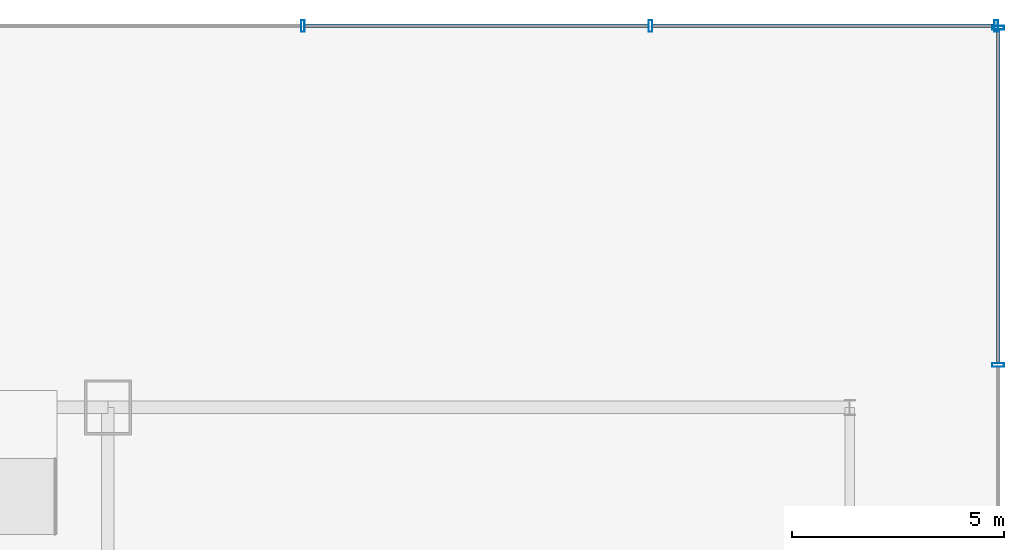
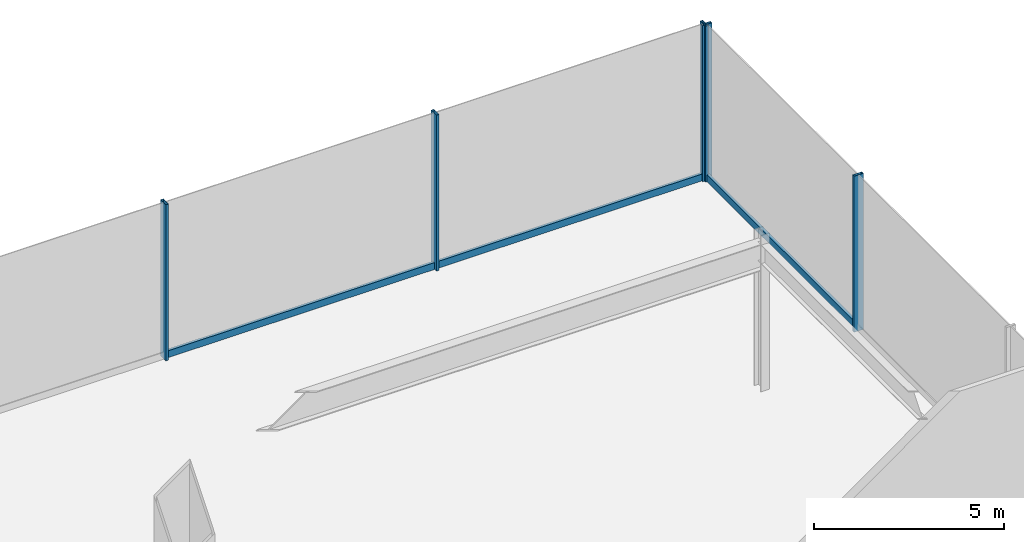
# One storey, part 26 of 39: 8 members, 2 elements without a shape of their own.
"""IFC4 building model written with IfcOpenShell, lengths in metres."""

from ifc_helpers import new_model, si_unit, derived_unit, direction, frame, origin, origin_2d, place, context, subcontext, project, spatial, hollow_rectangle, extrude, source, transform, mapped, material, material_profile, profile_set, type_object, element, aggregate, save


model = new_model("IFC4")

# Units and contexts
model_context = context("Model", 3, precision=1e-05, world=origin(), true_north=direction((0.0, 1.0)))
body_context = subcontext(model_context, "Body", "Model", "MODEL_VIEW")
ifc_project = project(units=[si_unit("LENGTHUNIT", "METRE"), si_unit("AREAUNIT", "SQUARE_METRE"), si_unit("VOLUMEUNIT", "CUBIC_METRE"), si_unit("PLANEANGLEUNIT", "RADIAN"), si_unit("MASSUNIT", "GRAM", prefix="KILO"), derived_unit("THERMALTRANSMITTANCEUNIT", [(si_unit("POWERUNIT", "WATT"), 1), (si_unit("LENGTHUNIT", "METRE"), -2), (si_unit("THERMODYNAMICTEMPERATUREUNIT", "KELVIN"), -1)])], contexts=[model_context])

# Site, building, storey
site_placement = place(None, origin())
site = spatial("IfcSite", under=ifc_project, at=site_placement, CompositionType="ELEMENT")
building_placement = place(site_placement, origin())
building = spatial("IfcBuilding", under=site, at=building_placement, Name="Skarnbrae Concourse Arena and Tower", CompositionType="ELEMENT")
storey_placement = place(building_placement, frame((0.0, 0.0, 11.0)))
storey = spatial("IfcBuildingStorey", under=building, at=storey_placement, Name="L02", CompositionType="ELEMENT", Elevation=11.0)

# Curtain wall, members
ifc_material = material(Name="Bronze anodised aluminium 6063-T6", Category="aluminium")
curtain_wall_type = type_object("IfcCurtainWallType", Name="CW-SYS-01-PODIUM", PredefinedType="USERDEFINED", material=ifc_material)
curtain_wall_1_placement = place(storey_placement, origin())
curtain_wall_1 = element("IfcCurtainWall", 1, at=curtain_wall_1_placement, inside=storey, type_object=curtain_wall_type, Name="L02 Unitised curtain wall CW-L02-E", ObjectType="UNITISED CURTAIN WALL", PredefinedType="USERDEFINED")
ifc_material_profile_1 = material_profile(ifc_material, hollow_rectangle(XDim=0.0849609375, YDim=0.280029296875, WallThickness=0.006103515625, at=origin_2d()), Name="ALU-MULL-85X280")
ifc_profile_set_1 = profile_set([ifc_material_profile_1], Name="Bronze anodised aluminium 6063-T6")
member_type_1 = type_object("IfcMemberType", Name="CWM-CW-01", PredefinedType="MULLION", material=ifc_profile_set_1)
shared_shape_1 = source(origin(), body_context, "Body", "SweptSolid", [
    extrude(hollow_rectangle(XDim=0.0849609375, YDim=0.280029296875, WallThickness=0.006103515625, at=origin_2d()), origin(), (0.0, 0.0, 1.0), 5.0),
])
member_1_placement = place(storey_placement, frame((82.0, 48.0, 0.0), z_axis=(0.0, 0.0, 1.0), x_axis=(0.0, 1.0, 0.0)))
member_1 = element("IfcMember", 2, at=member_1_placement, type_object=member_type_1, Name="CW-L02-E Mullion 7", PredefinedType="MULLION", context=body_context, shape_type="MappedRepresentation", body=[
    mapped(shared_shape_1, transform((0.0, 0.0, 0.0))),
])
member_2_placement = place(storey_placement, frame((82.0, 55.95751953125, 0.0), z_axis=(0.0, 0.0, 1.0), x_axis=(0.0, 1.0, 0.0)))
member_2 = element("IfcMember", 3, at=member_2_placement, type_object=member_type_1, Name="CW-L02-E Mullion 8", PredefinedType="MULLION", context=body_context, shape_type="MappedRepresentation", body=[
    mapped(shared_shape_1, transform((0.0, 0.0, 0.0))),
])

curtain_wall_2_placement = place(storey_placement, origin())
curtain_wall_2 = element("IfcCurtainWall", 4, at=curtain_wall_2_placement, inside=storey, type_object=curtain_wall_type, Name="L02 Unitised curtain wall CW-L02-N", ObjectType="UNITISED CURTAIN WALL", PredefinedType="USERDEFINED")
member_3_placement = place(storey_placement, frame((81.95751953125, 56.0, 0.0), z_axis=(0.0, 0.0, 1.0), x_axis=(-1.0, 0.0, 0.0)))
member_3 = element("IfcMember", 5, at=member_3_placement, type_object=member_type_1, Name="CW-L02-N Mullion 1", PredefinedType="MULLION", context=body_context, shape_type="MappedRepresentation", body=[
    mapped(shared_shape_1, transform((0.0, 0.0, 0.0))),
])
member_4_placement = place(storey_placement, frame((73.800048828125, 56.0, 0.0), z_axis=(0.0, 0.0, 1.0), x_axis=(-1.0, 0.0, 0.0)))
member_4 = element("IfcMember", 6, at=member_4_placement, type_object=member_type_1, Name="CW-L02-N Mullion 2", PredefinedType="MULLION", context=body_context, shape_type="MappedRepresentation", body=[
    mapped(shared_shape_1, transform((0.0, 0.0, 0.0))),
])
member_5_placement = place(storey_placement, frame((65.60009765625, 56.0, 0.0), z_axis=(0.0, 0.0, 1.0), x_axis=(-1.0, 0.0, 0.0)))
member_5 = element("IfcMember", 7, at=member_5_placement, type_object=member_type_1, Name="CW-L02-N Mullion 3", PredefinedType="MULLION", context=body_context, shape_type="MappedRepresentation", body=[
    mapped(shared_shape_1, transform((0.0, 0.0, 0.0))),
])

# Member
ifc_material_profile_2 = material_profile(ifc_material, hollow_rectangle(XDim=0.0849609375, YDim=0.219970703125, WallThickness=0.006103515625, at=origin_2d()), Name="ALU-TRAN-85X220")
ifc_profile_set_2 = profile_set([ifc_material_profile_2], Name="Bronze anodised aluminium 6063-T6")
member_type_2 = type_object("IfcMemberType", Name="CWT-CW-01", PredefinedType="USERDEFINED", material=ifc_profile_set_2)
shared_shape_2 = source(origin(), body_context, "Body", "SweptSolid", [
    extrude(hollow_rectangle(XDim=0.0849609375, YDim=0.219970703125, WallThickness=0.006103515625, at=origin_2d()), origin(), (0.0, 0.0, 1.0), 7.87255859375),
])
member_6_placement = place(storey_placement, frame((82.0, 48.04248046875, 0.110107421875), z_axis=(0.0, 1.0, 0.0), x_axis=(-1.0, 0.0, 0.0)))
member_6 = element("IfcMember", 8, at=member_6_placement, type_object=member_type_2, Name="CW-L02-E Transom 7", ObjectType="TRANSOM", PredefinedType="USERDEFINED", context=body_context, shape_type="MappedRepresentation", body=[
    mapped(shared_shape_2, transform((0.0, 0.0, 0.0))),
])

aggregate(curtain_wall_1, [member_1, member_2, member_6])

shared_shape_3 = source(origin(), body_context, "Body", "SweptSolid", [
    extrude(hollow_rectangle(XDim=0.0849609375, YDim=0.219970703125, WallThickness=0.006103515625, at=origin_2d()), origin(), (0.0, 0.0, 1.0), 8.072509765625),
])
member_7_placement = place(storey_placement, frame((81.9150390625, 56.0, 0.110107421875), z_axis=(-1.0, 0.0, 0.0), x_axis=(0.0, -1.0, 0.0)))
member_7 = element("IfcMember", 9, at=member_7_placement, type_object=member_type_2, Name="CW-L02-N Transom 1", ObjectType="TRANSOM", PredefinedType="USERDEFINED", context=body_context, shape_type="MappedRepresentation", body=[
    mapped(shared_shape_3, transform((0.0, 0.0, 0.0))),
])

shared_shape_4 = source(origin(), body_context, "Body", "SweptSolid", [
    extrude(hollow_rectangle(XDim=0.0849609375, YDim=0.219970703125, WallThickness=0.006103515625, at=origin_2d()), origin(), (0.0, 0.0, 1.0), 8.114990234375),
])
member_8_placement = place(storey_placement, frame((73.757568359375, 56.0, 0.110107421875), z_axis=(-1.0, 0.0, 0.0), x_axis=(0.0, -1.0, 0.0)))
member_8 = element("IfcMember", 10, at=member_8_placement, type_object=member_type_2, Name="CW-L02-N Transom 2", ObjectType="TRANSOM", PredefinedType="USERDEFINED", context=body_context, shape_type="MappedRepresentation", body=[
    mapped(shared_shape_4, transform((0.0, 0.0, 0.0))),
])

aggregate(curtain_wall_2, [member_3, member_4, member_5, member_7, member_8])

save(model, "model.ifc")
